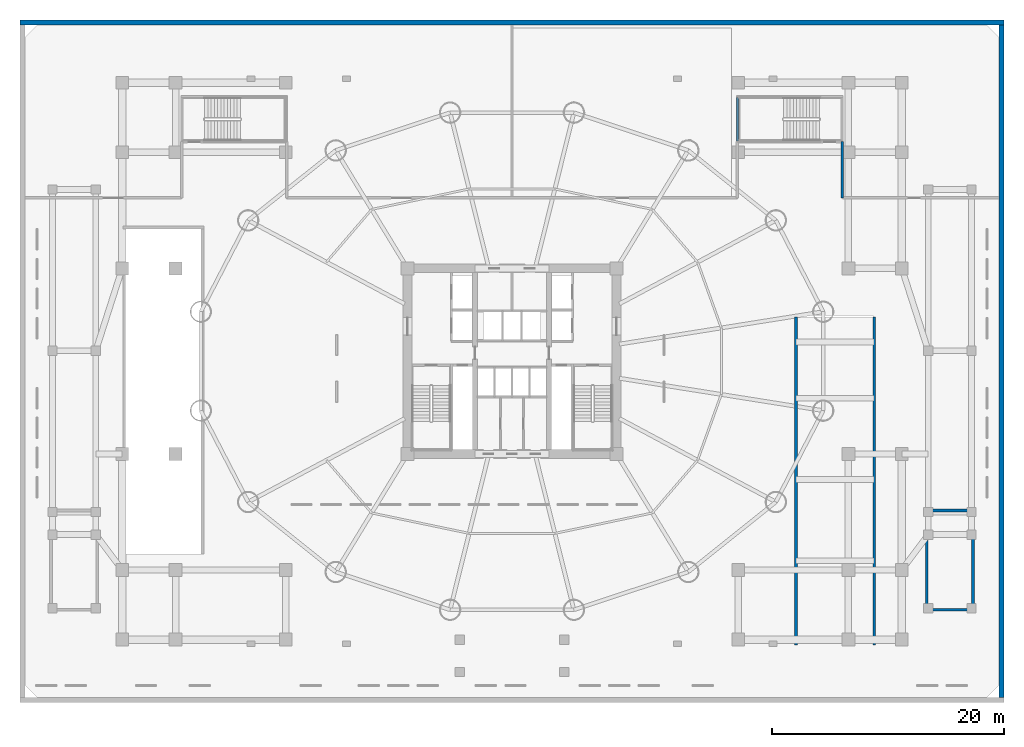
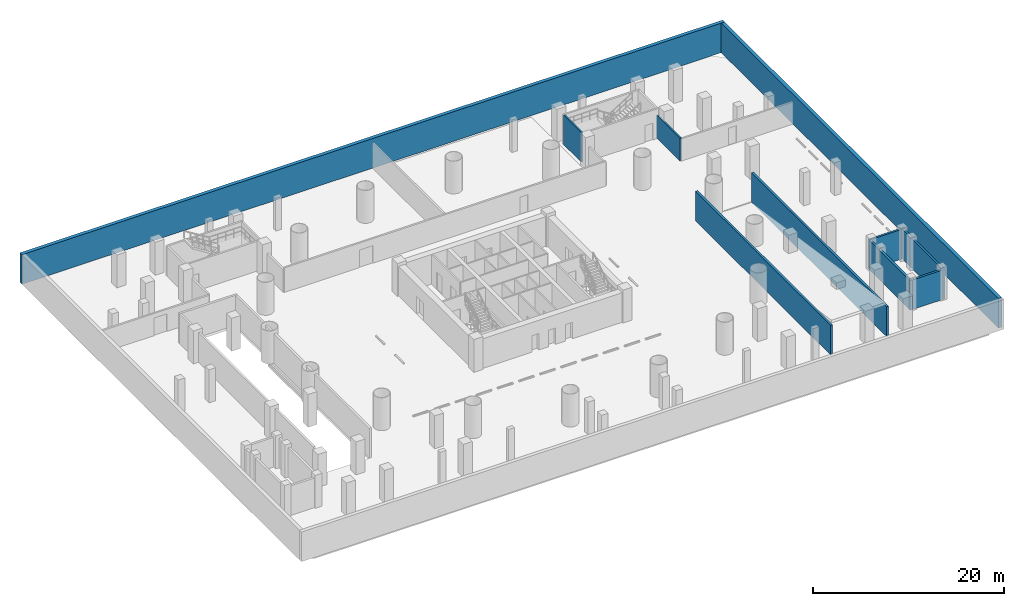
# One storey, part 6 of 11: 10 walls.
"""IFC4 building model written with IfcOpenShell, lengths in metres."""

from ifc_helpers import new_model, si_unit, direction, frame, frame_2d, origin, place, context, subcontext, project, spatial, rectangle, extrude, material, layer, layer_set, type_object, element, save


model = new_model("IFC4")

# Units and contexts
model_context = context("Model", 3, precision=1e-05, world=origin(), true_north=direction((-0.2419218956, 0.970295726276)))
body_context = subcontext(model_context, "Body", "Model", "MODEL_VIEW")
ifc_project = project(units=[si_unit("LENGTHUNIT", "METRE"), si_unit("AREAUNIT", "SQUARE_METRE"), si_unit("VOLUMEUNIT", "CUBIC_METRE"), si_unit("PLANEANGLEUNIT", "RADIAN"), si_unit("MASSUNIT", "GRAM", prefix="KILO")], contexts=[model_context])

# Site, building, storey
site_placement = place(None, origin())
site = spatial("IfcSite", under=ifc_project, at=site_placement, CompositionType="ELEMENT")
building_placement = place(site_placement, origin())
building = spatial("IfcBuilding", under=site, at=building_placement, Name="Cobrevalo Terracotta Tower", CompositionType="ELEMENT")
storey_placement = place(building_placement, frame((0.0, 0.0, -4.199951171875)))
storey = spatial("IfcBuildingStorey", under=building, at=storey_placement, Name="B01", CompositionType="ELEMENT", Elevation=-4.199951171875)

# Walls
ifc_material_1 = material(Name="Concrete C50", Category="concrete")
ifc_layer_1 = layer(ifc_material_1, 0.419921875)
ifc_layer_set_1 = layer_set([ifc_layer_1], Name="Concrete C50")
wall_type_1 = type_object("IfcWallType", Name="Basement perimeter retaining wall 420 mm Concrete C50", PredefinedType="SOLIDWALL", material=ifc_layer_set_1)
wall_1_placement = place(storey_placement, frame((-4.409912109375, 56.0, 0.0), z_axis=(0.0, 0.0, 1.0), x_axis=(1.0, 0.0, 0.0)))
element("IfcWall", 1, at=wall_1_placement, inside=storey, type_object=wall_type_1, Name="B01 north basement retaining wall", PredefinedType="SOLIDWALL", context=body_context, shape_type="SweptSolid", body=[
    extrude(rectangle(XDim=84.81982421875, YDim=0.419921875, at=frame_2d((42.409912109375, 0.0))), origin(), (0.0, 0.0, 1.0), 3.780029296875),
])
wall_2_placement = place(storey_placement, frame((80.199951171875, -2.18994140625, 0.0), z_axis=(0.0, 0.0, 1.0), x_axis=(0.0, 1.0, 0.0)))
element("IfcWall", 2, at=wall_2_placement, inside=storey, type_object=wall_type_1, Name="B01 east basement retaining wall", PredefinedType="SOLIDWALL", context=body_context, shape_type="SweptSolid", body=[
    extrude(rectangle(XDim=57.97998046875, YDim=0.419921875, at=frame_2d((28.989990234375, 0.0))), origin(), (0.0, 0.0, 1.0), 3.780029296875),
])
ifc_material_2 = material(Name="Autoclaved aerated concrete block", Category="concrete")
ifc_layer_2 = layer(ifc_material_2, 0.199951171875)
ifc_layer_set_2 = layer_set([ifc_layer_2], Name="Autoclaved aerated concrete block")
wall_type_2 = type_object("IfcWallType", Name="Fire-rated stair, shaft & demising masonry wall 200 mm", PredefinedType="PARTITIONING", material=ifc_layer_set_2)
wall_3_placement = place(storey_placement, frame((66.47998046875, 40.8798828125, 0.0), z_axis=(0.0, 0.0, 1.0), x_axis=(0.0, 1.0, 0.0)))
element("IfcWall", 3, at=wall_3_placement, inside=storey, type_object=wall_type_2, Name="B01 interior partition IW-B01-BN-3E", PredefinedType="PARTITIONING", context=body_context, shape_type="SweptSolid", body=[
    extrude(rectangle(XDim=4.840087890625, YDim=0.199951171875, at=frame_2d((2.419921875, 0.0))), origin(), (0.0, 0.0, 1.0), 2.9150390625),
])
ifc_layer_3 = layer(ifc_material_1, 0.199951171875)
ifc_layer_set_3 = layer_set([ifc_layer_3], Name="Concrete C50")
wall_type_3 = type_object("IfcWallType", Name="Structural core & podium stair-shaft RC wall 200 mm Concrete C50", PredefinedType="SOLIDWALL", material=ifc_layer_set_3)
wall_4_placement = place(storey_placement, frame((57.449951171875, 45.800048828125, 0.0), z_axis=(0.0, 0.0, 1.0), x_axis=(0.0, 1.0, 0.0)))
element("IfcWall", 4, at=wall_4_placement, inside=storey, type_object=wall_type_3, Name="B01 STP2 west structural shaft wall", PredefinedType="SOLIDWALL", context=body_context, shape_type="SweptSolid", body=[
    extrude(rectangle(XDim=3.719970703125, YDim=0.199951171875, at=frame_2d((1.85986328125, 0.0))), origin(), (0.0, 0.0, 1.0), 3.780029296875),
])
ifc_layer_4 = layer(ifc_material_1, 0.25)
ifc_layer_set_4 = layer_set([ifc_layer_4], Name="Concrete C50")
wall_type_4 = type_object("IfcWallType", Name="Structural stair & ramp shaft RC wall 250 mm Concrete C50", PredefinedType="SOLIDWALL", material=ifc_layer_set_4)
for number, where, z_axis, x_axis, name in (
    (5, (62.47509765625, 2.35009765625, 0.0), (0.0, 0.0, 1.0), (0.0, 1.0, 0.0), "B01 upper vehicle ramp west shaft wall"),
    (6, (69.22509765625, 2.35009765625, 0.0), (0.0, 0.0, 1.0), (0.0, 1.0, 0.0), "B01 upper vehicle ramp east shaft wall"),
):
    element("IfcWall", number, at=place(storey_placement, frame(where, z_axis=z_axis, x_axis=x_axis)), inside=storey, type_object=wall_type_4, Name=name, PredefinedType="SOLIDWALL", context=body_context, shape_type="SweptSolid", body=[
        extrude(rectangle(XDim=28.25, YDim=0.25, at=frame_2d((14.125, 0.0))), origin(), (0.0, 0.0, 1.0), 3.780029296875),
    ])
for number, where, z_axis, x_axis, name in (
    (7, (73.7548828125, 5.25, 0.0), (0.0, 0.0, 1.0), (0.0, 1.0, 0.0), "B01 East monumental raised-garden stair structural shaft wall W"),
    (8, (77.72509765625, 5.25, 0.0), (0.0, 0.0, 1.0), (0.0, 1.0, 0.0), "B01 East monumental raised-garden stair structural shaft wall E"),
):
    element("IfcWall", number, at=place(storey_placement, frame(where, z_axis=z_axis, x_axis=x_axis)), inside=storey, type_object=wall_type_4, Name=name, PredefinedType="SOLIDWALL", context=body_context, shape_type="SweptSolid", body=[
        extrude(rectangle(XDim=8.675048828125, YDim=0.25, at=frame_2d((4.33740234375, 0.0))), origin(), (0.0, 0.0, 1.0), 3.780029296875),
    ])
for number, where, z_axis, x_axis, name in (
    (9, (73.6298828125, 5.375, 0.0), (0.0, 0.0, 1.0), (1.0, 0.0, 0.0), "B01 East monumental raised-garden stair structural shaft wall S"),
    (10, (73.6298828125, 13.925048828125, 0.0), (0.0, 0.0, 1.0), (1.0, 0.0, 0.0), "B01 East monumental raised-garden stair structural shaft wall N"),
):
    element("IfcWall", number, at=place(storey_placement, frame(where, z_axis=z_axis, x_axis=x_axis)), inside=storey, type_object=wall_type_4, Name=name, PredefinedType="SOLIDWALL", context=body_context, shape_type="SweptSolid", body=[
        extrude(rectangle(XDim=4.22021484375, YDim=0.25, at=frame_2d((2.110107421875, 0.0))), origin(), (0.0, 0.0, 1.0), 3.780029296875),
    ])

save(model, "model.ifc")
